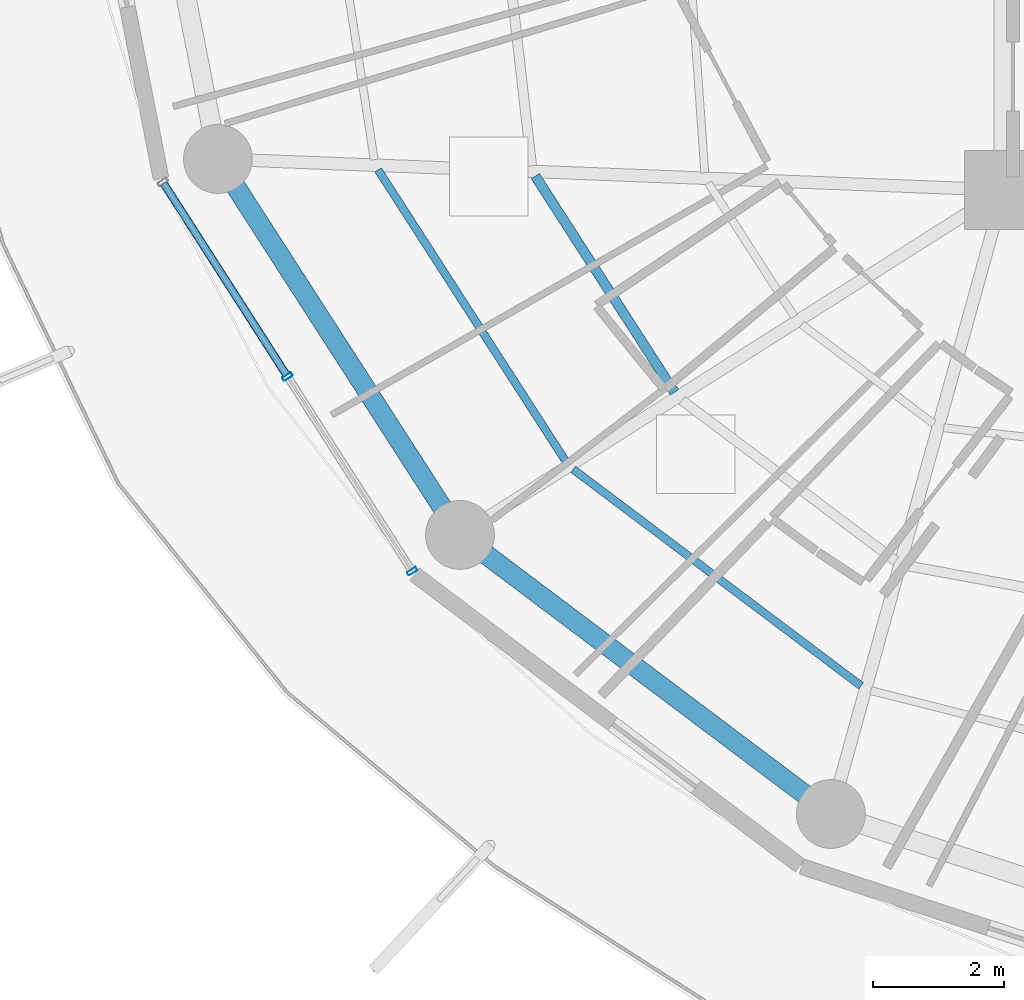
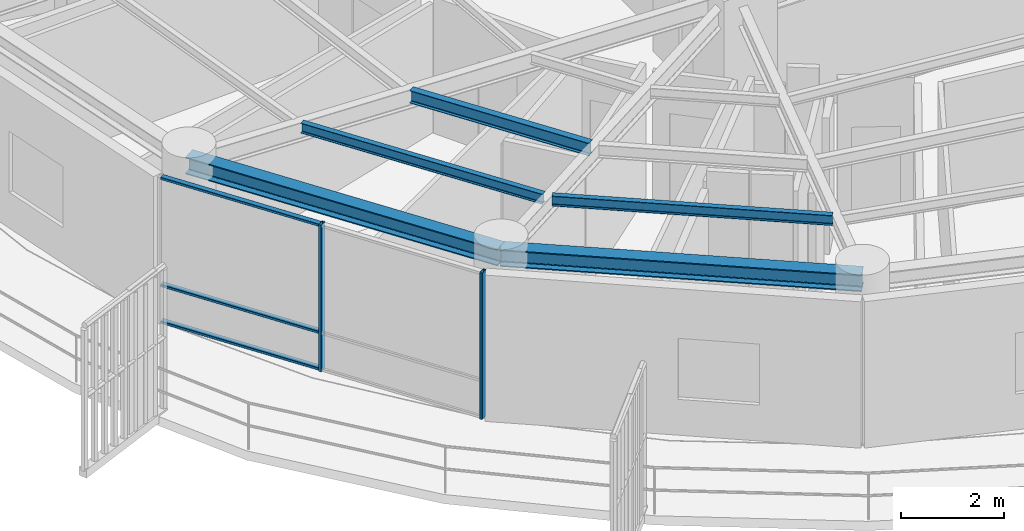
# One storey, part 2 of 30: 5 beams, 5 members, 1 element without a shape of its own.
"""IFC4 building model written with IfcOpenShell, lengths in metres."""

from ifc_helpers import new_model, si_unit, direction, frame, origin, origin_2d, place, context, subcontext, project, spatial, hollow_rectangle, i_section, extrude, material, layer, layer_set, material_profile, profile_set, type_object, element, aggregate, save


model = new_model("IFC4")

# Units and contexts
model_context = context("Model", 3, precision=1e-05, world=origin(), true_north=direction((0.0, 1.0)))
body_context = subcontext(model_context, "Body", "Model", "MODEL_VIEW")
ifc_project = project(units=[si_unit("LENGTHUNIT", "METRE"), si_unit("AREAUNIT", "SQUARE_METRE"), si_unit("VOLUMEUNIT", "CUBIC_METRE"), si_unit("PLANEANGLEUNIT", "RADIAN"), si_unit("MASSUNIT", "GRAM", prefix="KILO")], contexts=[model_context])

# Site, building, storey
site_placement = place(None, origin())
site = spatial("IfcSite", under=ifc_project, at=site_placement, CompositionType="ELEMENT")
building_placement = place(site_placement, origin())
building = spatial("IfcBuilding", under=site, at=building_placement, Name="Kelanora Arch Commons", CompositionType="ELEMENT")
storey_placement = place(building_placement, frame((0.0, 0.0, 204.449951171875)))
storey = spatial("IfcBuildingStorey", under=building, at=storey_placement, Name="L52", CompositionType="ELEMENT", Elevation=204.449951171875)

# Beams
ifc_material_1 = material(Name="Steel S355", Category="steel")
ifc_material_profile_1 = material_profile(ifc_material_1, i_section(OverallWidth=0.14990234375, OverallDepth=0.300048828125, WebThickness=0.007080078125, FlangeThickness=0.0107421875, FilletRadius=0.014892578125, at=origin_2d()), Name="IPE300")
ifc_profile_set_1 = profile_set([ifc_material_profile_1], Name="Steel S355")
beam_type_1 = type_object("IfcBeamType", Name="BM-JST-01", PredefinedType="JOIST", material=ifc_profile_set_1)
beam_1_placement = place(storey_placement, frame((58.847900390625, 51.213134765625, 3.340087890625), z_axis=(0.541411265892, -0.840757896879, 0.0), x_axis=(0.840757896879, 0.541411265892, 0.0)))
element("IfcBeam", 1, at=beam_1_placement, inside=storey, type_object=beam_type_1, Name="Secondary Chord Joist BJB-20 L52", PredefinedType="JOIST", context=body_context, shape_type="SweptSolid", body=[
    extrude(i_section(OverallWidth=0.14990234375, OverallDepth=0.300048828125, WebThickness=0.007080078125, FlangeThickness=0.0107421875, FilletRadius=0.014892578125, at=origin_2d()), origin(), (0.0, 0.0, 1.0), 3.92529296875),
])
ifc_material_profile_2 = material_profile(ifc_material_1, i_section(OverallWidth=0.1201171875, OverallDepth=0.239990234375, WebThickness=0.006103515625, FlangeThickness=0.009765625, FilletRadius=0.014892578125, at=origin_2d()), Name="IPE240")
ifc_profile_set_2 = profile_set([ifc_material_profile_2], Name="Steel S355")
beam_type_2 = type_object("IfcBeamType", Name="BM-JST-02", PredefinedType="JOIST", material=ifc_profile_set_2)
beam_2_placement = place(storey_placement, frame((56.44873046875, 51.30810546875, 3.3701171875), z_axis=(0.541382492679, -0.840776424872, 0.0), x_axis=(0.840776424872, 0.541382492679, 0.0)))
element("IfcBeam", 2, at=beam_2_placement, inside=storey, type_object=beam_type_2, Name="Secondary Chord Joist BJC-20 L52", PredefinedType="JOIST", context=body_context, shape_type="SweptSolid", body=[
    extrude(i_section(OverallWidth=0.1201171875, OverallDepth=0.239990234375, WebThickness=0.006103515625, FlangeThickness=0.009765625, FilletRadius=0.014892578125, at=origin_2d()), origin(), (0.0, 0.0, 1.0), 5.29052734375),
])
beam_3_placement = place(storey_placement, frame((59.4267578125, 46.7373046875, 3.3701171875), z_axis=(0.799109197935, -0.601185902842, 0.0), x_axis=(0.601185902842, 0.799109197935, 0.0)))
element("IfcBeam", 3, at=beam_3_placement, inside=storey, type_object=beam_type_2, Name="Secondary Chord Joist BJC-22 L52", PredefinedType="JOIST", context=body_context, shape_type="SweptSolid", body=[
    extrude(i_section(OverallWidth=0.1201171875, OverallDepth=0.239990234375, WebThickness=0.006103515625, FlangeThickness=0.009765625, FilletRadius=0.014892578125, at=origin_2d()), origin(), (0.0, 0.0, 1.0), 5.497802734375),
])
ifc_material_profile_3 = material_profile(ifc_material_1, i_section(OverallWidth=0.300048828125, OverallDepth=0.39990234375, WebThickness=0.013427734375, FlangeThickness=0.02392578125, FilletRadius=0.027099609375, at=origin_2d()), Name="HEB400")
ifc_profile_set_3 = profile_set([ifc_material_profile_3], Name="Steel S355")
beam_type_3 = type_object("IfcBeamType", Name="BM-SPN-Z4", PredefinedType="SPANDREL", material=ifc_profile_set_3)
beam_4_placement = place(storey_placement, frame((54.00341796875, 51.474365234375, 3.2900390625), z_axis=(0.541364878868, -0.840787766281, 0.0), x_axis=(0.840787766281, 0.541364878868, 0.0)))
element("IfcBeam", 4, at=beam_4_placement, inside=storey, type_object=beam_type_3, Name="Perimeter Spandrel Beam BS-20 L52", PredefinedType="SPANDREL", context=body_context, shape_type="SweptSolid", body=[
    extrude(i_section(OverallWidth=0.300048828125, OverallDepth=0.39990234375, WebThickness=0.013427734375, FlangeThickness=0.02392578125, FilletRadius=0.027099609375, at=origin_2d()), origin(), (0.0, 0.0, 1.0), 6.825439453125),
])
beam_5_placement = place(storey_placement, frame((57.698486328125, 45.735595703125, 3.2900390625), z_axis=(0.799114211715, -0.60117923836, 0.0), x_axis=(0.60117923836, 0.799114211715, 0.0)))
element("IfcBeam", 5, at=beam_5_placement, inside=storey, type_object=beam_type_3, Name="Perimeter Spandrel Beam BS-22 L52", PredefinedType="SPANDREL", context=body_context, shape_type="SweptSolid", body=[
    extrude(i_section(OverallWidth=0.300048828125, OverallDepth=0.39990234375, WebThickness=0.013427734375, FlangeThickness=0.02392578125, FilletRadius=0.027099609375, at=origin_2d()), origin(), (0.0, 0.0, 1.0), 7.0849609375),
])

# Curtain wall, members
ifc_material_2 = material(Name="Terracotta ceramic-fritted low-E glass and aluminium", Category="masonry")
ifc_layer = layer(ifc_material_2, 0.175048828125)
ifc_layer_set = layer_set([ifc_layer], Name="Terracotta ceramic-fritted low-E glass and aluminium")
curtain_wall_type = type_object("IfcCurtainWallType", Name="CW-SYS-02", PredefinedType="NOTDEFINED", material=ifc_layer_set)
curtain_wall_placement = place(storey_placement, origin())
curtain_wall = element("IfcCurtainWall", 6, at=curtain_wall_placement, inside=storey, type_object=curtain_wall_type, Name="Unitised Curtain Wall L52-B10", PredefinedType="NOTDEFINED")
ifc_material_3 = material(Name="Powder-coated aluminium terracotta", Category="masonry")
ifc_material_profile_4 = material_profile(ifc_material_3, hollow_rectangle(XDim=0.159912109375, YDim=0.06005859375, WallThickness=0.0048828125, InnerFilletRadius=0.0048828125, OuterFilletRadius=0.010009765625, at=origin_2d()), Name="CWM160x60")
ifc_profile_set_4 = profile_set([ifc_material_profile_4], Name="Powder-coated aluminium terracotta")
member_type_1 = type_object("IfcMemberType", Name="CWM-STD", PredefinedType="MULLION", material=ifc_profile_set_4)
member_1_placement = place(storey_placement, frame((55.06640625, 48.15185546875, 0.0), z_axis=(0.0, 0.0, 1.0), x_axis=(0.84194757539, 0.539559338994, 0.0)))
member_1 = element("IfcMember", 7, at=member_1_placement, type_object=member_type_1, Name="CW-02 mullion 2", PredefinedType="MULLION", context=body_context, shape_type="SweptSolid", body=[
    extrude(hollow_rectangle(XDim=0.159912109375, YDim=0.06005859375, WallThickness=0.0048828125, InnerFilletRadius=0.0048828125, OuterFilletRadius=0.010009765625, at=origin_2d()), origin(), (0.0, 0.0, 1.0), 3.47509765625),
])
member_2_placement = place(storey_placement, frame((56.969482421875, 45.18212890625, 0.0), z_axis=(0.0, 0.0, 1.0), x_axis=(0.84194757539, 0.539559338994, 0.0)))
member_2 = element("IfcMember", 8, at=member_2_placement, type_object=member_type_1, Name="CW-02 mullion 3", PredefinedType="MULLION", context=body_context, shape_type="SweptSolid", body=[
    extrude(hollow_rectangle(XDim=0.159912109375, YDim=0.06005859375, WallThickness=0.0048828125, InnerFilletRadius=0.0048828125, OuterFilletRadius=0.010009765625, at=origin_2d()), origin(), (0.0, 0.0, 1.0), 3.47509765625),
])
ifc_material_profile_5 = material_profile(ifc_material_3, hollow_rectangle(XDim=0.1201171875, YDim=0.06005859375, WallThickness=0.0048828125, InnerFilletRadius=0.0048828125, OuterFilletRadius=0.010009765625, at=origin_2d()), Name="CWT120x60")
ifc_profile_set_5 = profile_set([ifc_material_profile_5], Name="Powder-coated aluminium terracotta")
member_type_2 = type_object("IfcMemberType", Name="CWT-STD", PredefinedType="USERDEFINED", material=ifc_profile_set_5)
member_3_placement = place(storey_placement, frame((53.17919921875, 51.096435546875, 0.030029296875), z_axis=(0.539579095642, -0.84193491408, 0.0), x_axis=(0.84193491408, 0.539579095642, 0.0)))
member_3 = element("IfcMember", 9, at=member_3_placement, type_object=member_type_2, Name="CW-02 transom 1.1", ObjectType="TRANSOM", PredefinedType="USERDEFINED", context=body_context, shape_type="SweptSolid", body=[
    extrude(hollow_rectangle(XDim=0.1201171875, YDim=0.06005859375, WallThickness=0.0048828125, InnerFilletRadius=0.0048828125, OuterFilletRadius=0.010009765625, at=origin_2d()), origin(), (0.0, 0.0, 1.0), 3.46728515625),
])
member_4_placement = place(storey_placement, frame((53.17919921875, 51.096435546875, 0.900146484375), z_axis=(0.539579095642, -0.84193491408, 0.0), x_axis=(0.84193491408, 0.539579095642, 0.0)))
member_4 = element("IfcMember", 10, at=member_4_placement, type_object=member_type_2, Name="CW-02 transom 1.2", ObjectType="TRANSOM", PredefinedType="USERDEFINED", context=body_context, shape_type="SweptSolid", body=[
    extrude(hollow_rectangle(XDim=0.1201171875, YDim=0.06005859375, WallThickness=0.0048828125, InnerFilletRadius=0.0048828125, OuterFilletRadius=0.010009765625, at=origin_2d()), origin(), (0.0, 0.0, 1.0), 3.46728515625),
])
member_5_placement = place(storey_placement, frame((53.17919921875, 51.096435546875, 3.445068359375), z_axis=(0.539579095642, -0.84193491408, 0.0), x_axis=(0.84193491408, 0.539579095642, 0.0)))
member_5 = element("IfcMember", 11, at=member_5_placement, type_object=member_type_2, Name="CW-02 transom 1.3", ObjectType="TRANSOM", PredefinedType="USERDEFINED", context=body_context, shape_type="SweptSolid", body=[
    extrude(hollow_rectangle(XDim=0.1201171875, YDim=0.06005859375, WallThickness=0.0048828125, InnerFilletRadius=0.0048828125, OuterFilletRadius=0.010009765625, at=origin_2d()), origin(), (0.0, 0.0, 1.0), 3.46728515625),
])
aggregate(curtain_wall, [member_1, member_2, member_3, member_4, member_5])

save(model, "model.ifc")
